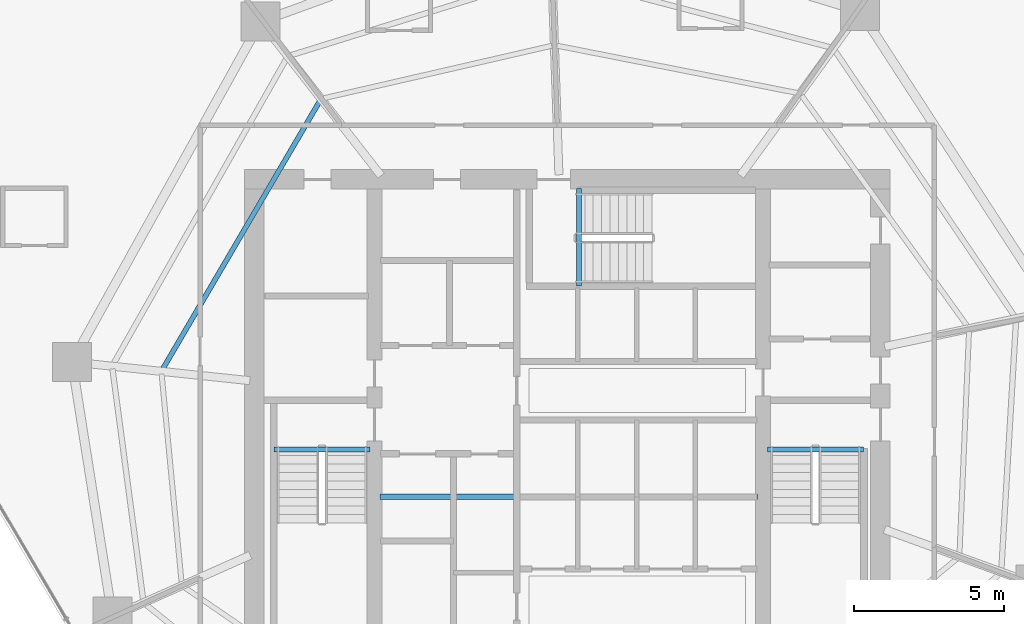
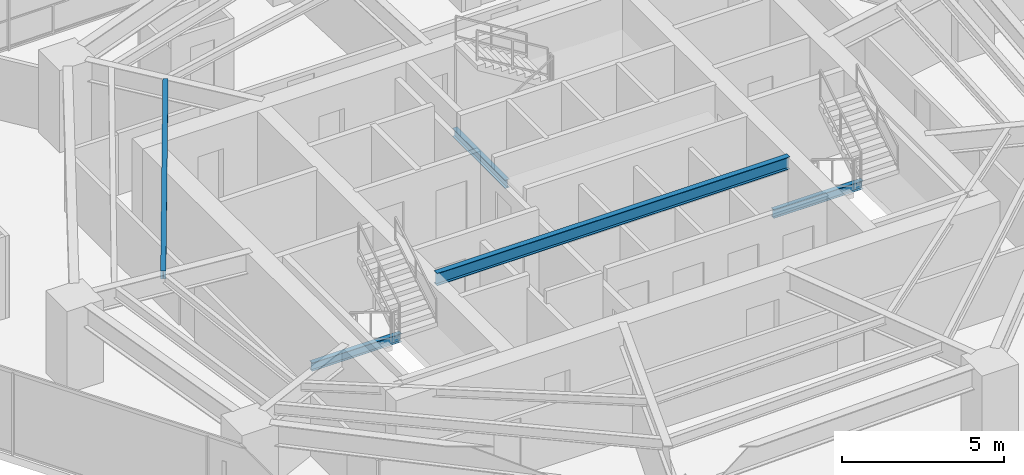
# One storey, part 10 of 31: 5 beams.
"""IFC4 building model written with IfcOpenShell, lengths in metres."""

import ifcopenshell
import ifcopenshell.guid

model = None  # the IFC model being written
_history = None  # IfcOwnerHistory: only IFC2X3 demands one
_inside = {}  # id of a spatial element -> (the spatial element, [elements in it])
_under = {}  # id of a project, library or spatial element -> (it, [spatial elements below it])
_declared = {}  # id of a project -> (the project, [libraries it declares])
_typed = {}  # id of a type object -> (the type object, [elements of that type])
_made_of = {}  # id of a material, layer set ... -> (it, [elements and type objects made of it])


def new_model(schema):
    """Start an empty IFC model of exactly this schema.

    Asked for "IFC4X3", IfcOpenShell would pick the latest addendum, in which some entities
    have other attributes; the version numbers below select the first issue.
    IFC2X3 requires an IfcOwnerHistory on every rooted entity: one is made here for all.
    """
    global model, _history
    if schema == "IFC4X3":
        model = ifcopenshell.file(schema_version=(4, 3, 0, 0))
    else:
        model = ifcopenshell.file(schema=schema)
    _inside.clear()
    _under.clear()
    _declared.clear()
    _typed.clear()
    _made_of.clear()
    _history = None
    if model.schema == "IFC2X3":
        org = make("IfcOrganization", Name="unknown")
        user = make(
            "IfcPersonAndOrganization",
            ThePerson=make("IfcPerson", FamilyName="unknown"),
            TheOrganization=org,
        )
        app = make(
            "IfcApplication",
            ApplicationDeveloper=org,
            Version="unknown",
            ApplicationFullName="unknown",
            ApplicationIdentifier="unknown",
        )
        _history = make(
            "IfcOwnerHistory",
            OwningUser=user,
            OwningApplication=app,
            ChangeAction="ADDED",
            CreationDate=0,
        )
    return model


def make(cls, **values):
    """One entity of the class cls with the attributes given. An attribute that is None is left unset."""
    return model.create_entity(
        cls, **{name: value for name, value in values.items() if value is not None}
    )


def rooted(cls, **values):
    """An entity with a GlobalId (a new one), such as an element, a storey or a relation."""
    return make(cls, GlobalId=ifcopenshell.guid.new(), OwnerHistory=_history, **values)


def si_unit(unit_type, name, prefix=None):
    """IfcSIUnit, for example si_unit("LENGTHUNIT", "METRE", prefix="MILLI")."""
    return make("IfcSIUnit", UnitType=unit_type, Prefix=prefix, Name=name)


def assignment(units):
    """IfcUnitAssignment: the units of a project."""
    return None if units is None else make("IfcUnitAssignment", Units=units)


def point(xyz):
    """IfcCartesianPoint."""
    return None if xyz is None else make("IfcCartesianPoint", Coordinates=xyz)


def direction(xyz):
    """IfcDirection."""
    return None if xyz is None else make("IfcDirection", DirectionRatios=xyz)


def frame(location, z_axis=None, x_axis=None):
    """IfcAxis2Placement3D, a coordinate frame: its origin and axes. An axis left out is left unset."""
    return make(
        "IfcAxis2Placement3D",
        Location=point(location),
        Axis=direction(z_axis),
        RefDirection=direction(x_axis),
    )


def frame_2d(location, x_axis=None):
    """IfcAxis2Placement2D, a coordinate frame in the plane: its origin and x axis."""
    return make(
        "IfcAxis2Placement2D", Location=point(location), RefDirection=direction(x_axis)
    )


def origin():
    """The frame at (0, 0, 0) with its axes left unset."""
    return frame((0.0, 0.0, 0.0))


def origin_2d():
    """The frame at (0, 0) in the plane with its x axis left unset."""
    return frame_2d((0.0, 0.0))


def place(relative_to, where):
    """IfcLocalPlacement: puts the frame where relative to a parent placement (None: the world)."""
    return make(
        "IfcLocalPlacement", PlacementRelTo=relative_to, RelativePlacement=where
    )


def context(
    kind, dimensions, precision=None, world=None, true_north=None, identifier=None
):
    """IfcGeometricRepresentationContext, for example the 3D "Model" context."""
    return make(
        "IfcGeometricRepresentationContext",
        ContextIdentifier=identifier,
        ContextType=kind,
        CoordinateSpaceDimension=dimensions,
        Precision=precision,
        WorldCoordinateSystem=world,
        TrueNorth=true_north,
    )


def subcontext(parent, identifier, kind, view, scale=None):
    """IfcGeometricRepresentationSubContext, for example "Body" below "Model"."""
    return make(
        "IfcGeometricRepresentationSubContext",
        ContextIdentifier=identifier,
        ContextType=kind,
        ParentContext=parent,
        TargetScale=scale,
        TargetView=view,
    )


def project(units=None, contexts=None):
    """IfcProject with its units and contexts."""
    return rooted(
        "IfcProject",
        Name="project",
        RepresentationContexts=contexts,
        UnitsInContext=assignment(units),
    )


def spatial(cls, under=None, at=None, **own):
    """A site, building, storey or space (cls), placed at a placement, below another one or the project."""
    s = rooted(cls, ObjectPlacement=at, **own)
    if under is not None:
        _under.setdefault(under.id(), (under, []))[1].append(s)
    return s


def profile(cls, at=None, kind="AREA", **sizes):
    """A parametric profile (cls). Its sizes go by their IFC names, for example OverallWidth=200.0."""
    return make(cls, ProfileType=kind, Position=at, **sizes)


def i_section(**sizes):
    """IfcIShapeProfileDef."""
    return profile("IfcIShapeProfileDef", **sizes)


def extrude(swept, where, along, depth):
    """IfcExtrudedAreaSolid: the profile swept, set in the frame where, extruded along a direction by depth."""
    return make(
        "IfcExtrudedAreaSolid",
        SweptArea=swept,
        Position=where,
        ExtrudedDirection=direction(along),
        Depth=depth,
    )


def shape(context_of_items, identifier, shape_type, items):
    """IfcShapeRepresentation: the items that make up one representation, for example the "Body"."""
    return make(
        "IfcShapeRepresentation",
        ContextOfItems=context_of_items,
        RepresentationIdentifier=identifier,
        RepresentationType=shape_type,
        Items=items,
    )


def material(Name=None, Category=None):
    """IfcMaterial."""
    return make("IfcMaterial", Name=Name, Category=Category)


def material_profile(
    of_material, cross_section, Name=None, Category=None, Priority=None
):
    """IfcMaterialProfile: a cross section and its material."""
    return make(
        "IfcMaterialProfile",
        Name=Name,
        Material=of_material,
        Profile=cross_section,
        Priority=Priority,
        Category=Category,
    )


def profile_set(profiles, Name=None, composite=None):
    """IfcMaterialProfileSet."""
    return make(
        "IfcMaterialProfileSet",
        Name=Name,
        MaterialProfiles=profiles,
        CompositeProfile=composite,
    )


def made_of(thing, what):
    """Note that an element or type object is made of a material, layer set ...; save() writes the relation."""
    if what is not None:
        _made_of.setdefault(what.id(), (what, []))[1].append(thing)
    return thing


def type_object(cls, material=None, **own):
    """A type object (cls), such as IfcWallType, which elements share."""
    return made_of(rooted(cls, **own), material)


def element(
    cls,
    number,
    at=None,
    inside=None,
    cuts=None,
    type_object=None,
    material=None,
    context=None,
    identifier="Body",
    shape_type=None,
    held_by="IfcProductDefinitionShape",
    body=None,
    shapes=None,
    **own,
):
    """One element of the class cls, such as IfcWall. Its Tag is "e" and its number.

    at: its placement. inside: the storey or other place that contains it. cuts: it is an
    opening in that element (IfcRelVoidsElement). A single representation is given by context,
    identifier, shape_type and body (its items); several are given by shapes. held_by: the class
    of the entity that holds the representations. save() writes the other relations.
    """
    e = rooted(cls, Tag="e%d" % number, ObjectPlacement=at, **own)
    if body is not None:
        shapes = [shape(context, identifier, shape_type, body)]
    if shapes is not None:
        e.Representation = make(held_by, Representations=shapes)
    if inside is not None:
        _inside.setdefault(inside.id(), (inside, []))[1].append(e)
    if cuts is not None:
        rooted(
            "IfcRelVoidsElement", RelatingBuildingElement=cuts, RelatedOpeningElement=e
        )
    if type_object is not None:
        _typed.setdefault(type_object.id(), (type_object, []))[1].append(e)
    return made_of(e, material)


def aggregate(whole, parts):
    """IfcRelAggregates: a whole, such as a stair, and the parts it consists of."""
    return rooted("IfcRelAggregates", RelatingObject=whole, RelatedObjects=parts)


def save(model, path):
    """Write the relations noted so far, then the file.

    IfcRelAggregates (storeys below a building ...), IfcRelContainedInSpatialStructure (elements
    in a storey), IfcRelDefinesByType, IfcRelAssociatesMaterial and IfcRelDeclares: one each for
    every whole, place, type object, material and project.
    """
    for whole, parts in _under.values():
        aggregate(whole, parts)
    for where, things in _inside.values():
        rooted(
            "IfcRelContainedInSpatialStructure",
            RelatedElements=things,
            RelatingStructure=where,
        )
    for kind, things in _typed.values():
        rooted("IfcRelDefinesByType", RelatedObjects=things, RelatingType=kind)
    for what, things in _made_of.values():
        rooted("IfcRelAssociatesMaterial", RelatedObjects=things, RelatingMaterial=what)
    for by, libraries in _declared.values():
        rooted("IfcRelDeclares", RelatingContext=by, RelatedDefinitions=libraries)
    model.write(path)


model = new_model("IFC4")

# Units and contexts
model_context = context("Model", 3, precision=1e-05, world=origin(), true_north=direction((0.0, 1.0)))
body_context = subcontext(model_context, "Body", "Model", "MODEL_VIEW")
ifc_project = project(units=[si_unit("LENGTHUNIT", "METRE"), si_unit("AREAUNIT", "SQUARE_METRE"), si_unit("VOLUMEUNIT", "CUBIC_METRE"), si_unit("PLANEANGLEUNIT", "RADIAN"), si_unit("MASSUNIT", "GRAM", prefix="KILO")], contexts=[model_context])

# Site, building, storey
site_placement = place(None, origin())
site = spatial("IfcSite", under=ifc_project, at=site_placement, CompositionType="ELEMENT")
building_placement = place(site_placement, origin())
building = spatial("IfcBuilding", under=site, at=building_placement, Name="Qarnah Convention Tower", CompositionType="ELEMENT")
storey_placement = place(building_placement, frame((0.0, 0.0, 68.39990234375)))
storey = spatial("IfcBuildingStorey", under=building, at=storey_placement, Name="L17", CompositionType="ELEMENT", Elevation=68.39990234375)

# Beams
ifc_material = material(Name="Structural steel S355JR", Category="steel")
ifc_material_profile_1 = material_profile(ifc_material, i_section(OverallWidth=0.19189453125, OverallDepth=0.464111328125, WebThickness=0.010986328125, FlangeThickness=0.01806640625, at=origin_2d()), Name="W460X89")
ifc_profile_set_1 = profile_set([ifc_material_profile_1], Name="Structural steel S355JR")
beam_type_1 = type_object("IfcBeamType", Name="BM-CANT-W460A", PredefinedType="BEAM", material=ifc_profile_set_1)
beam_1_placement = place(storey_placement, frame((30.97998046875, 23.64990234375, 2.858154296875), z_axis=(1.0, 0.0, 0.0), x_axis=(0.0, 1.0, 0.0)))
element("IfcBeam", 1, at=beam_1_placement, inside=storey, type_object=beam_type_1, Name="L17 beam BM-L17-KC1", PredefinedType="BEAM", context=body_context, shape_type="SweptSolid", body=[
    extrude(i_section(OverallWidth=0.19189453125, OverallDepth=0.464111328125, WebThickness=0.010986328125, FlangeThickness=0.01806640625, at=origin_2d()), origin(), (0.0, 0.0, 1.0), 12.5400390625),
])
ifc_material_profile_2 = material_profile(ifc_material, i_section(OverallWidth=0.166015625, OverallDepth=0.31201171875, WebThickness=0.007080078125, FlangeThickness=0.010986328125, at=origin_2d()), Name="W310X45")
ifc_profile_set_2 = profile_set([ifc_material_profile_2], Name="Structural steel S355JR")
beam_type_2 = type_object("IfcBeamType", Name="BM-JST-W310", PredefinedType="JOIST", material=ifc_profile_set_2)
for number, where, z_axis, x_axis, name in (
    (2, (27.4599609375, 25.217041015625, -0.156005859375), (1.0, 0.0, 0.0), (0.0, 1.0, 0.0), "L17 stair landing trimmer beam BM-L17-ST1-TRM"),
    (3, (43.860107421875, 25.217041015625, -0.156005859375), (1.0, 0.0, 0.0), (0.0, 1.0, 0.0), "L17 stair landing trimmer beam BM-L17-ST2-TRM"),
):
    element("IfcBeam", number, at=place(storey_placement, frame(where, z_axis=z_axis, x_axis=x_axis)), inside=storey, type_object=beam_type_2, Name=name, PredefinedType="BEAM", context=body_context, shape_type="SweptSolid", body=[
        extrude(i_section(OverallWidth=0.166015625, OverallDepth=0.31201171875, WebThickness=0.007080078125, FlangeThickness=0.010986328125, at=origin_2d()), origin(), (0.0, 0.0, 1.0), 3.179931640625),
    ])
beam_2_placement = place(storey_placement, frame((37.5830078125, 30.659912109375, -0.156005859375), z_axis=(0.0, 1.0, 0.0), x_axis=(-1.0, 0.0, 0.0)))
element("IfcBeam", 4, at=beam_2_placement, inside=storey, type_object=beam_type_2, Name="L17 stair landing trimmer beam BM-L17-ST3-TRM", PredefinedType="BEAM", context=body_context, shape_type="SweptSolid", body=[
    extrude(i_section(OverallWidth=0.166015625, OverallDepth=0.31201171875, WebThickness=0.007080078125, FlangeThickness=0.010986328125, at=origin_2d()), origin(), (0.0, 0.0, 1.0), 3.239990234375),
])
beam_3_placement = place(storey_placement, frame((28.971923828125, 36.794921875, 2.93408203125), z_axis=(-0.505662399999, -0.862731439804, 0.0), x_axis=(0.862731439804, -0.505662399999, 0.0)))
element("IfcBeam", 5, at=beam_3_placement, inside=storey, type_object=beam_type_2, Name="L17 joist BM-L17-IJST-04", PredefinedType="JOIST", context=body_context, shape_type="SweptSolid", body=[
    extrude(i_section(OverallWidth=0.166015625, OverallDepth=0.31201171875, WebThickness=0.007080078125, FlangeThickness=0.010986328125, at=origin_2d()), origin(), (0.0, 0.0, 1.0), 10.31494140625),
])

save(model, "model.ifc")
